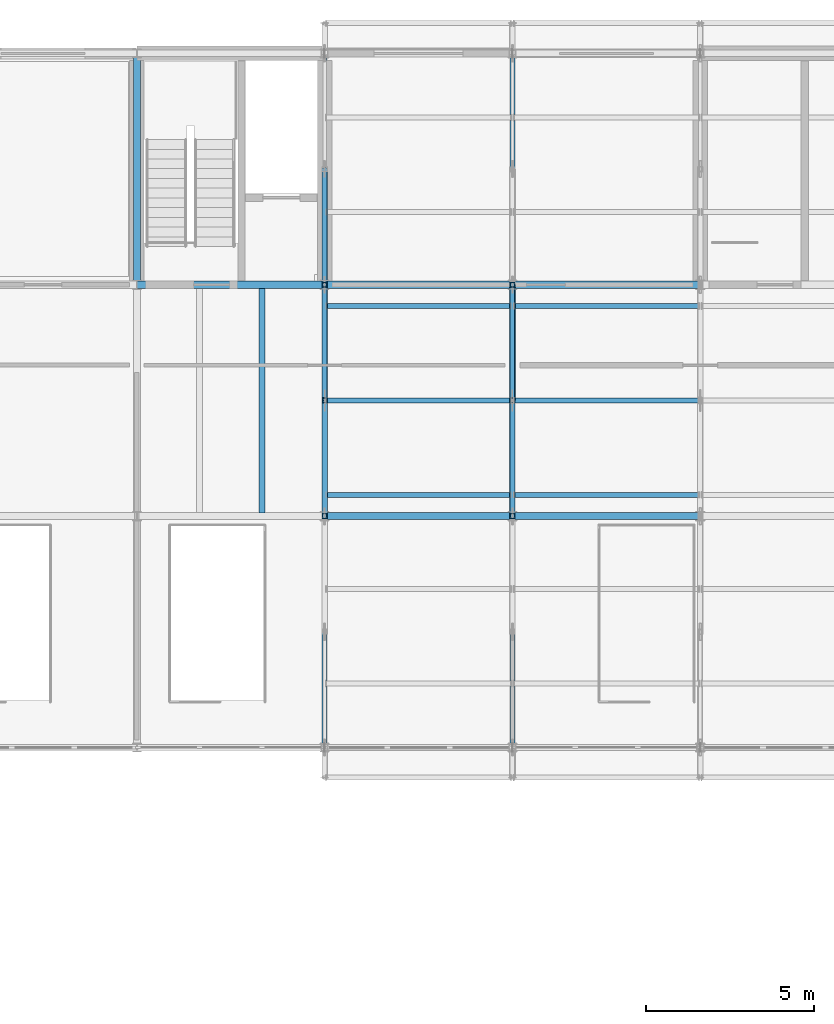
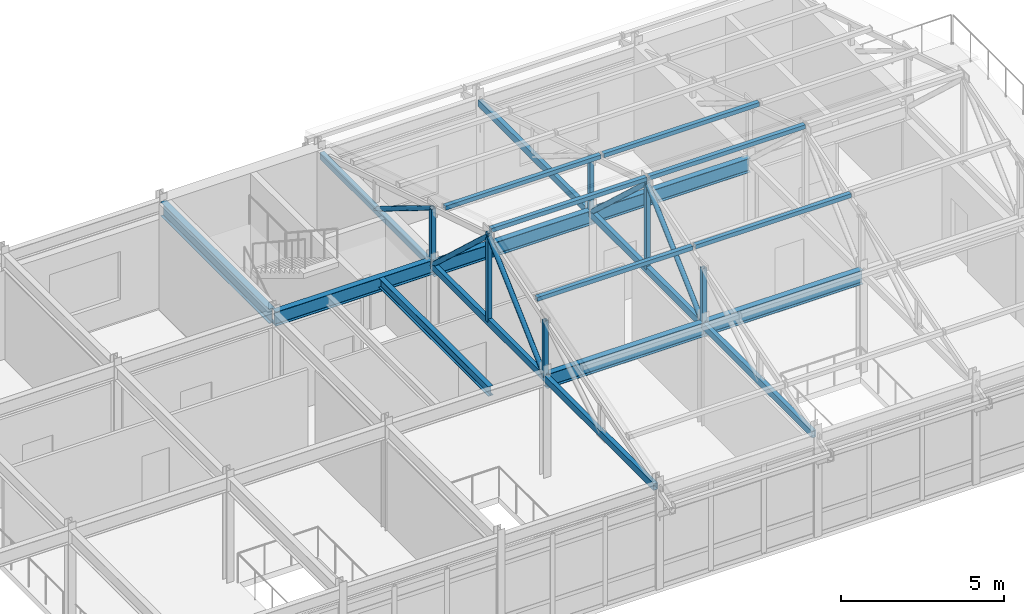
# One storey, part 76 of 144: 19 members, 7 beams.
"""IFC4 building model written with IfcOpenShell, lengths in metres."""

from ifc_helpers import new_model, si_unit, direction, frame, origin, origin_2d, place, context, subcontext, project, spatial, hollow_rectangle, hollow_circle, i_section, extrude, material, material_profile, profile_set, type_object, element, save


model = new_model("IFC4")

# Units and contexts
model_context = context("Model", 3, precision=1e-05, world=origin(), true_north=direction((0.0, 1.0)))
body_context = subcontext(model_context, "Body", "Model", "MODEL_VIEW")
ifc_project = project(units=[si_unit("LENGTHUNIT", "METRE"), si_unit("AREAUNIT", "SQUARE_METRE"), si_unit("VOLUMEUNIT", "CUBIC_METRE"), si_unit("PLANEANGLEUNIT", "RADIAN"), si_unit("MASSUNIT", "GRAM", prefix="KILO")], contexts=[model_context])

# Site, building, storey
site_placement = place(None, origin())
site = spatial("IfcSite", under=ifc_project, at=site_placement, CompositionType="ELEMENT")
building_placement = place(site_placement, origin())
building = spatial("IfcBuilding", under=site, at=building_placement, Name="Trelmorton Wharf Fire Station", CompositionType="ELEMENT")
storey_placement = place(building_placement, frame((0.0, 0.0, 5.39990234375)))
storey = spatial("IfcBuildingStorey", under=building, at=storey_placement, Name="L01", CompositionType="ELEMENT", Elevation=5.39990234375)

# Beams
ifc_material_1 = material(Name="Steel Grade 350", Category="steel")
ifc_material_profile_1 = material_profile(ifc_material_1, i_section(OverallWidth=0.208984375, OverallDepth=0.528076171875, WebThickness=0.009521484375, FlangeThickness=0.01318359375, FilletRadius=0.013916015625, at=origin_2d()), Name="530UB82.0")
ifc_profile_set_1 = profile_set([ifc_material_profile_1], Name="Steel Grade 350")
beam_type_1 = type_object("IfcBeamType", Name="BM_530UB82", PredefinedType="BEAM", material=ifc_profile_set_1)
beam_1_placement = place(storey_placement, frame((23.2041015625, 67.199951171875, 3.55615234375), z_axis=(1.0, 0.0, 0.0), x_axis=(0.0, 1.0, 0.0)))
element("IfcBeam", 1, at=beam_1_placement, inside=storey, type_object=beam_type_1, Name="BM-L01-0510", PredefinedType="BEAM", context=body_context, shape_type="SweptSolid", body=[
    extrude(i_section(OverallWidth=0.208984375, OverallDepth=0.528076171875, WebThickness=0.009521484375, FlangeThickness=0.01318359375, FilletRadius=0.013916015625, at=origin_2d()), origin(), (0.0, 0.0, 1.0), 5.591796875),
])
for number, where, z_axis, x_axis, name in (
    (2, (28.803955078125, 67.199951171875, 3.55615234375), (1.0, 0.0, 0.0), (0.0, 1.0, 0.0), "BM-L01-0511"),
    (3, (17.60400390625, 74.10009765625, 3.666015625), (1.0, 0.0, 0.0), (0.0, 1.0, 0.0), "BM-L01-0528"),
):
    element("IfcBeam", number, at=place(storey_placement, frame(where, z_axis=z_axis, x_axis=x_axis)), inside=storey, type_object=beam_type_1, Name=name, PredefinedType="BEAM", context=body_context, shape_type="SweptSolid", body=[
        extrude(i_section(OverallWidth=0.208984375, OverallDepth=0.528076171875, WebThickness=0.009521484375, FlangeThickness=0.01318359375, FilletRadius=0.013916015625, at=origin_2d()), origin(), (0.0, 0.0, 1.0), 5.592041015625),
    ])
beam_2_placement = place(storey_placement, frame((23.2041015625, 74.10009765625, 3.55615234375), z_axis=(1.0, 0.0, 0.0), x_axis=(0.0, 1.0, 0.0)))
element("IfcBeam", 4, at=beam_2_placement, inside=storey, type_object=beam_type_1, Name="BM-L01-0529", PredefinedType="BEAM", context=body_context, shape_type="SweptSolid", body=[
    extrude(i_section(OverallWidth=0.208984375, OverallDepth=0.528076171875, WebThickness=0.009521484375, FlangeThickness=0.01318359375, FilletRadius=0.013916015625, at=origin_2d()), origin(), (0.0, 0.0, 1.0), 5.591796875),
])
beam_3_placement = place(storey_placement, frame((28.803955078125, 74.10009765625, 3.55615234375), z_axis=(1.0, 0.0, 0.0), x_axis=(0.0, 1.0, 0.0)))
element("IfcBeam", 5, at=beam_3_placement, inside=storey, type_object=beam_type_1, Name="BM-L01-0530", PredefinedType="BEAM", context=body_context, shape_type="SweptSolid", body=[
    extrude(i_section(OverallWidth=0.208984375, OverallDepth=0.528076171875, WebThickness=0.009521484375, FlangeThickness=0.01318359375, FilletRadius=0.013916015625, at=origin_2d()), origin(), (0.0, 0.0, 1.0), 5.592041015625),
])
ifc_material_profile_2 = material_profile(ifc_material_1, i_section(OverallWidth=0.208984375, OverallDepth=0.532958984375, WebThickness=0.01025390625, FlangeThickness=0.015625, FilletRadius=0.013916015625, at=origin_2d()), Name="530UB92.4")
ifc_profile_set_2 = profile_set([ifc_material_profile_2], Name="Steel Grade 350")
beam_type_2 = type_object("IfcBeamType", Name="BM_530UB92", PredefinedType="BEAM", material=ifc_profile_set_2)
beam_4_placement = place(storey_placement, frame((17.60009765625, 74.22607421875, 3.66357421875), z_axis=(0.0, 1.0, 0.0), x_axis=(-1.0, 0.0, 0.0)))
element("IfcBeam", 6, at=beam_4_placement, inside=storey, type_object=beam_type_2, Name="BM-L01-0578", PredefinedType="BEAM", context=body_context, shape_type="SweptSolid", body=[
    extrude(i_section(OverallWidth=0.208984375, OverallDepth=0.532958984375, WebThickness=0.01025390625, FlangeThickness=0.015625, FilletRadius=0.013916015625, at=origin_2d()), origin(), (0.0, 0.0, 1.0), 6.64794921875),
])
ifc_material_profile_3 = material_profile(ifc_material_1, i_section(OverallWidth=0.172119140625, OverallDepth=0.35888671875, WebThickness=0.008056640625, FlangeThickness=0.012939453125, FilletRadius=0.011474609375, at=origin_2d()), Name="360UB56.7")
ifc_profile_set_3 = profile_set([ifc_material_profile_3], Name="Steel Grade 350")
beam_type_3 = type_object("IfcBeamType", Name="JS_360UB57", PredefinedType="JOIST", material=ifc_profile_set_3)
beam_5_placement = place(storey_placement, frame((21.333251953125, 67.2900390625, 3.75048828125), z_axis=(0.0, 1.0, 0.0), x_axis=(-1.0, 0.0, 0.0)))
element("IfcBeam", 7, at=beam_5_placement, inside=storey, type_object=beam_type_3, Name="JS-L01-0140", PredefinedType="JOIST", context=body_context, shape_type="SweptSolid", body=[
    extrude(i_section(OverallWidth=0.172119140625, OverallDepth=0.35888671875, WebThickness=0.008056640625, FlangeThickness=0.012939453125, FilletRadius=0.011474609375, at=origin_2d()), origin(), (0.0, 0.0, 1.0), 6.719970703125),
])

# Members
ifc_material_2 = material(Name="Steel C350L0 (350 MPa)", Category="steel")
ifc_material_profile_4 = material_profile(ifc_material_2, hollow_rectangle(XDim=0.14990234375, YDim=0.14990234375, WallThickness=0.009033203125, at=origin_2d()), Name="150x150x9.0SHS")
ifc_profile_set_4 = profile_set([ifc_material_profile_4], Name="Steel C350L0 (350 MPa)")
member_type_1 = type_object("IfcMemberType", Name="PR_150SHS", PredefinedType="PURLIN", material=ifc_profile_set_4)
for number, where, z_axis, x_axis, name in (
    (8, (23.2470703125, 67.83740234375, 6.207763671875), (1.0, 0.0, 0.0), (0.0, 1.0, 0.0), "V6-PR-B01-S3"),
    (9, (23.2470703125, 70.64990234375, 7.077392578125), (1.0, 0.0, 0.0), (0.0, 1.0, 0.0), "V6-PR-B01-S4"),
    (10, (23.2470703125, 73.46240234375, 6.207763671875), (1.0, 0.0, 0.0), (0.0, 1.0, 0.0), "V6-PR-B01-N1"),
):
    element("IfcMember", number, at=place(storey_placement, frame(where, z_axis=z_axis, x_axis=x_axis)), inside=storey, type_object=member_type_1, Name=name, PredefinedType="PURLIN", context=body_context, shape_type="SweptSolid", body=[
        extrude(hollow_rectangle(XDim=0.14990234375, YDim=0.14990234375, WallThickness=0.009033203125, at=origin_2d()), origin(), (0.0, 0.0, 1.0), 5.505859375),
    ])
for number, where, z_axis, x_axis, name in (
    (11, (28.846923828125, 67.83740234375, 6.207763671875), (1.0, 0.0, 0.0), (0.0, 1.0, 0.0), "V6-PR-B02-S3"),
    (12, (28.846923828125, 70.64990234375, 7.077392578125), (1.0, 0.0, 0.0), (0.0, 1.0, 0.0), "V6-PR-B02-S4"),
    (13, (28.846923828125, 73.46240234375, 6.207763671875), (1.0, 0.0, 0.0), (0.0, 1.0, 0.0), "V6-PR-B02-N1"),
):
    element("IfcMember", number, at=place(storey_placement, frame(where, z_axis=z_axis, x_axis=x_axis)), inside=storey, type_object=member_type_1, Name=name, PredefinedType="PURLIN", context=body_context, shape_type="SweptSolid", body=[
        extrude(hollow_rectangle(XDim=0.14990234375, YDim=0.14990234375, WallThickness=0.009033203125, at=origin_2d()), origin(), (0.0, 0.0, 1.0), 5.506103515625),
    ])
ifc_material_profile_5 = material_profile(ifc_material_2, hollow_rectangle(XDim=0.14990234375, YDim=0.25, WallThickness=0.009033203125, at=origin_2d()), Name="250x150x9.0RHS")
ifc_profile_set_5 = profile_set([ifc_material_profile_5], Name="Steel C350L0 (350 MPa)")
member_type_2 = type_object("IfcMemberType", Name="TR_CHORD_250RHS", PredefinedType="CHORD", material=ifc_profile_set_5)
for number, where, z_axis, x_axis, name in (
    (14, (23.199951171875, 60.426025390625, 3.68408203125), (0.0, 1.0, 0.0), (-1.0, 0.0, 0.0), "V6-TR01-BC"),
    (15, (28.800048828125, 60.426025390625, 3.68408203125), (0.0, 1.0, 0.0), (-1.0, 0.0, 0.0), "V6-TR02-BC"),
):
    element("IfcMember", number, at=place(storey_placement, frame(where, z_axis=z_axis, x_axis=x_axis)), inside=storey, type_object=member_type_2, Name=name, PredefinedType="CHORD", context=body_context, shape_type="SweptSolid", body=[
        extrude(hollow_rectangle(XDim=0.14990234375, YDim=0.25, WallThickness=0.009033203125, at=origin_2d()), origin(), (0.0, 0.0, 1.0), 20.447998046875),
    ])
ifc_material_profile_6 = material_profile(ifc_material_2, hollow_circle(Radius=0.084228515625, WallThickness=0.007080078125, at=origin_2d()), Name="168.3x7.1CHS")
ifc_profile_set_6 = profile_set([ifc_material_profile_6], Name="Steel C350L0 (350 MPa)")
member_type_3 = type_object("IfcMemberType", Name="TR_DIAG_168CHS", PredefinedType="STRUT", material=ifc_profile_set_6)
member_1_placement = place(storey_placement, frame((23.199951171875, 67.199951171875, 3.68408203125), z_axis=(0.0, 0.733172202027, 0.680043029649), x_axis=(-1.0, 0.0, 0.0)))
element("IfcMember", 16, at=member_1_placement, inside=storey, type_object=member_type_3, Name="V6-TR01-DG-S2", PredefinedType="STRUT", context=body_context, shape_type="SweptSolid", body=[
    extrude(hollow_circle(Radius=0.084228515625, WallThickness=0.007080078125, at=origin_2d()), origin(), (0.0, 0.0, 1.0), 4.70556640625),
])
member_2_placement = place(storey_placement, frame((23.199951171875, 77.550048828125, 3.68408203125), z_axis=(0.0, -0.85052799659, 0.525929773845), x_axis=(1.0, 0.0, 0.0)))
element("IfcMember", 17, at=member_2_placement, inside=storey, type_object=member_type_3, Name="V6-TR01-DG-N1", PredefinedType="STRUT", context=body_context, shape_type="SweptSolid", body=[
    extrude(hollow_circle(Radius=0.084228515625, WallThickness=0.007080078125, at=origin_2d()), origin(), (0.0, 0.0, 1.0), 4.05615234375),
])
member_3_placement = place(storey_placement, frame((23.199951171875, 74.10009765625, 3.68408203125), z_axis=(0.0, -0.733196194837, 0.680017161458), x_axis=(1.0, 0.0, 0.0)))
element("IfcMember", 18, at=member_3_placement, inside=storey, type_object=member_type_3, Name="V6-TR01-DG-N2", PredefinedType="STRUT", context=body_context, shape_type="SweptSolid", body=[
    extrude(hollow_circle(Radius=0.084228515625, WallThickness=0.007080078125, at=origin_2d()), origin(), (0.0, 0.0, 1.0), 4.705810546875),
])
member_4_placement = place(storey_placement, frame((28.800048828125, 67.199951171875, 3.68408203125), z_axis=(0.0, 0.733172202027, 0.680043029649), x_axis=(-1.0, 0.0, 0.0)))
element("IfcMember", 19, at=member_4_placement, inside=storey, type_object=member_type_3, Name="V6-TR02-DG-S2", PredefinedType="STRUT", context=body_context, shape_type="SweptSolid", body=[
    extrude(hollow_circle(Radius=0.084228515625, WallThickness=0.007080078125, at=origin_2d()), origin(), (0.0, 0.0, 1.0), 4.70556640625),
])
member_5_placement = place(storey_placement, frame((28.800048828125, 74.10009765625, 3.68408203125), z_axis=(0.0, -0.733196194837, 0.680017161458), x_axis=(1.0, 0.0, 0.0)))
element("IfcMember", 20, at=member_5_placement, inside=storey, type_object=member_type_3, Name="V6-TR02-DG-N2", PredefinedType="STRUT", context=body_context, shape_type="SweptSolid", body=[
    extrude(hollow_circle(Radius=0.084228515625, WallThickness=0.007080078125, at=origin_2d()), origin(), (0.0, 0.0, 1.0), 4.705810546875),
])
ifc_material_profile_7 = material_profile(ifc_material_2, hollow_rectangle(XDim=0.14990234375, YDim=0.14990234375, WallThickness=0.009033203125, at=origin_2d()), Name="150x150x9.0SHS")
ifc_profile_set_7 = profile_set([ifc_material_profile_7], Name="Steel C350L0 (350 MPa)")
member_type_4 = type_object("IfcMemberType", Name="TR_POST_150SHS", PredefinedType="POST", material=ifc_profile_set_7)
member_6_placement = place(storey_placement, frame((23.199951171875, 70.64990234375, 3.68408203125), z_axis=(0.0, 0.0, 1.0), x_axis=(1.0, 0.0, 0.0)))
element("IfcMember", 21, at=member_6_placement, inside=storey, type_object=member_type_4, Name="V6-TR01-KP", PredefinedType="POST", context=body_context, shape_type="SweptSolid", body=[
    extrude(hollow_rectangle(XDim=0.14990234375, YDim=0.14990234375, WallThickness=0.009033203125, at=origin_2d()), origin(), (0.0, 0.0, 1.0), 3.322265625),
])
for number, where, z_axis, x_axis, name in (
    (22, (23.199951171875, 67.199951171875, 3.68408203125), (0.0, 0.0, 1.0), (1.0, 0.0, 0.0), "V6-TR01-VP-S2"),
    (23, (23.199951171875, 74.10009765625, 3.68408203125), (0.0, 0.0, 1.0), (1.0, 0.0, 0.0), "V6-TR01-VP-N2"),
):
    element("IfcMember", number, at=place(storey_placement, frame(where, z_axis=z_axis, x_axis=x_axis)), inside=storey, type_object=member_type_4, Name=name, PredefinedType="POST", context=body_context, shape_type="SweptSolid", body=[
        extrude(hollow_rectangle(XDim=0.14990234375, YDim=0.14990234375, WallThickness=0.009033203125, at=origin_2d()), origin(), (0.0, 0.0, 1.0), 2.13330078125),
    ])
member_7_placement = place(storey_placement, frame((28.800048828125, 70.64990234375, 3.68408203125), z_axis=(0.0, 0.0, 1.0), x_axis=(1.0, 0.0, 0.0)))
element("IfcMember", 24, at=member_7_placement, inside=storey, type_object=member_type_4, Name="V6-TR02-KP", PredefinedType="POST", context=body_context, shape_type="SweptSolid", body=[
    extrude(hollow_rectangle(XDim=0.14990234375, YDim=0.14990234375, WallThickness=0.009033203125, at=origin_2d()), origin(), (0.0, 0.0, 1.0), 3.322265625),
])
for number, where, z_axis, x_axis, name in (
    (25, (28.800048828125, 67.199951171875, 3.68408203125), (0.0, 0.0, 1.0), (1.0, 0.0, 0.0), "V6-TR02-VP-S2"),
    (26, (28.800048828125, 74.10009765625, 3.68408203125), (0.0, 0.0, 1.0), (1.0, 0.0, 0.0), "V6-TR02-VP-N2"),
):
    element("IfcMember", number, at=place(storey_placement, frame(where, z_axis=z_axis, x_axis=x_axis)), inside=storey, type_object=member_type_4, Name=name, PredefinedType="POST", context=body_context, shape_type="SweptSolid", body=[
        extrude(hollow_rectangle(XDim=0.14990234375, YDim=0.14990234375, WallThickness=0.009033203125, at=origin_2d()), origin(), (0.0, 0.0, 1.0), 2.13330078125),
    ])

save(model, "model.ifc")
